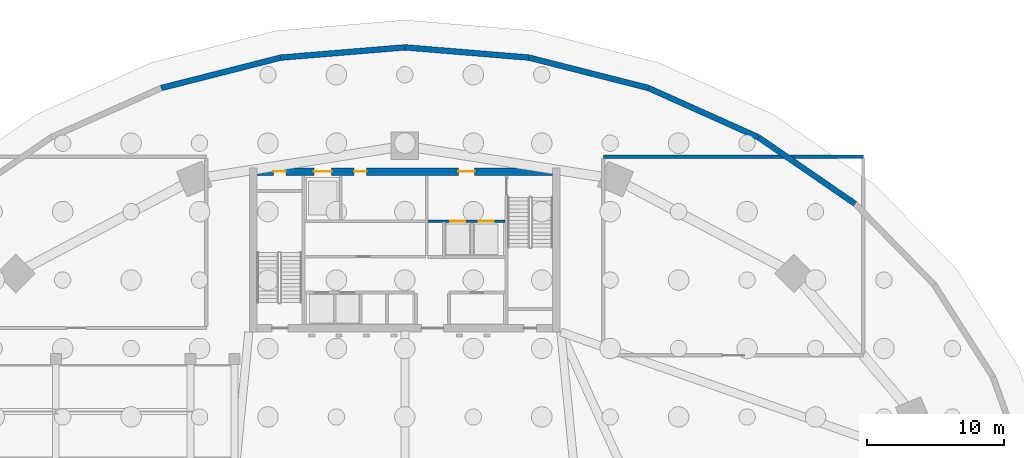
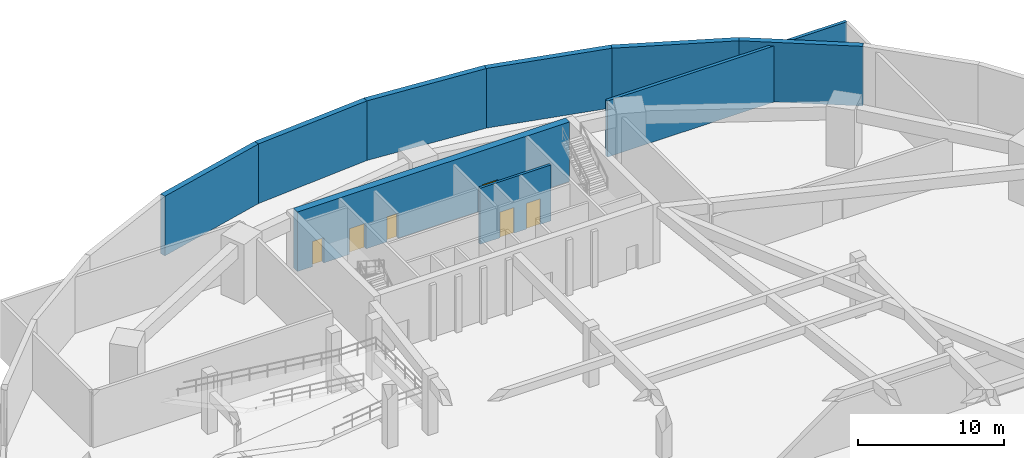
# One storey, part 7 of 11: 9 walls, 6 doors, 6 openings.
"""IFC4 building model written with IfcOpenShell, lengths in metres."""

from ifc_helpers import new_model, si_unit, direction, frame, frame_2d, origin, place, context, subcontext, project, spatial, rectangle, extrude, source, transform, mapped, material, layer, layer_set, type_object, type_shapes, element, fill, save


model = new_model("IFC4")

# Units and contexts
model_context = context("Model", 3, precision=1e-05, world=origin(), true_north=direction((0.0, 1.0)))
body_context = subcontext(model_context, "Body", "Model", "MODEL_VIEW")
ifc_project = project(units=[si_unit("LENGTHUNIT", "METRE"), si_unit("AREAUNIT", "SQUARE_METRE"), si_unit("VOLUMEUNIT", "CUBIC_METRE"), si_unit("PLANEANGLEUNIT", "RADIAN"), si_unit("MASSUNIT", "GRAM", prefix="KILO")], contexts=[model_context])

# Site, building, storey
site_placement = place(None, origin())
site = spatial("IfcSite", under=ifc_project, at=site_placement, CompositionType="ELEMENT")
building_placement = place(site_placement, origin())
building = spatial("IfcBuilding", under=site, at=building_placement, Name="Breltana Convention Tower", CompositionType="ELEMENT")
storey_placement = place(building_placement, frame((0.0, 0.0, -10.0)))
storey = spatial("IfcBuildingStorey", under=building, at=storey_placement, Name="B02", CompositionType="ELEMENT", Elevation=-10.0)

# Walls
ifc_material_1 = material(Name="Concrete C40/50", Category="concrete")
ifc_layer_1 = layer(ifc_material_1, 0.419921875, Name="Concrete C40/50")
ifc_layer_set_1 = layer_set([ifc_layer_1], Name="Concrete C40/50")
wall_type_1 = type_object("IfcWallType", Name="SW-BASE-420", PredefinedType="USERDEFINED", material=ifc_layer_set_1)
shared_shape_1 = source(origin(), body_context, "Body", "SweptSolid", [
    extrude(rectangle(XDim=8.554443359375, YDim=0.419921875, at=frame_2d((4.27734375, 0.0))), origin(), (0.0, 0.0, 1.0), 5.0),
])
wall_1_placement = place(storey_placement, frame((80.880615234375, 69.5771484375, 0.0), z_axis=(0.0, 0.0, 1.0), x_axis=(-0.823739529001, 0.566968419192, 0.0)))
element("IfcWall", 1, at=wall_1_placement, inside=storey, type_object=wall_type_1, Name="B02 Perimeter Retaining Wall 05", ObjectType="RETAININGWALL", PredefinedType="USERDEFINED", context=body_context, shape_type="MappedRepresentation", body=[
    mapped(shared_shape_1, transform((0.0, 0.0, 0.0), scale=1.0)),
])
shared_shape_2 = source(origin(), body_context, "Body", "SweptSolid", [
    extrude(rectangle(XDim=8.81005859375, YDim=0.419921875, at=frame_2d((4.405029296875, 0.0))), origin(), (0.0, 0.0, 1.0), 5.0),
])
wall_2_placement = place(storey_placement, frame((73.833984375, 74.42724609375, 0.0), z_axis=(0.0, 0.0, 1.0), x_axis=(-0.912497196731, 0.409082957305, 0.0)))
element("IfcWall", 2, at=wall_2_placement, inside=storey, type_object=wall_type_1, Name="B02 Perimeter Retaining Wall 06", ObjectType="RETAININGWALL", PredefinedType="USERDEFINED", context=body_context, shape_type="MappedRepresentation", body=[
    mapped(shared_shape_2, transform((0.0, 0.0, 0.0), scale=1.0)),
])
shared_shape_3 = source(origin(), body_context, "Body", "SweptSolid", [
    extrude(rectangle(XDim=9.0009765625, YDim=0.419921875, at=frame_2d((4.50048828125, 0.0))), origin(), (0.0, 0.0, 1.0), 5.0),
])
for number, where, z_axis, x_axis, name in (
    (3, (65.794921875, 78.03125, 0.0), (0.0, 0.0, 1.0), (-0.969128996808, 0.246554228407, 0.0), "B02 Perimeter Retaining Wall 07"),
    (4, (38.92822265625, 80.25048828125, 0.0), (0.0, 0.0, 1.0), (-0.969128996808, -0.246554228407, 0.0), "B02 Perimeter Retaining Wall 10"),
):
    element("IfcWall", number, at=place(storey_placement, frame(where, z_axis=z_axis, x_axis=x_axis)), inside=storey, type_object=wall_type_1, Name=name, ObjectType="RETAININGWALL", PredefinedType="USERDEFINED", context=body_context, shape_type="MappedRepresentation", body=[
        mapped(shared_shape_3, transform((0.0, 0.0, 0.0), scale=1.0)),
    ])
shared_shape_4 = source(origin(), body_context, "Body", "SweptSolid", [
    extrude(rectangle(XDim=9.102783203125, YDim=0.419921875, at=frame_2d((4.55126953125, 0.0))), origin(), (0.0, 0.0, 1.0), 5.0),
])
for number, where, z_axis, x_axis, name in (
    (5, (57.07177734375, 80.25048828125, 0.0), (0.0, 0.0, 1.0), (-0.996604328886, 0.08233961165, 0.0), "B02 Perimeter Retaining Wall 08"),
    (6, (48.0, 81.0, 0.0), (0.0, 0.0, 1.0), (-0.996604328886, -0.08233961165, 0.0), "B02 Perimeter Retaining Wall 09"),
):
    element("IfcWall", number, at=place(storey_placement, frame(where, z_axis=z_axis, x_axis=x_axis)), inside=storey, type_object=wall_type_1, Name=name, ObjectType="RETAININGWALL", PredefinedType="USERDEFINED", context=body_context, shape_type="MappedRepresentation", body=[
        mapped(shared_shape_4, transform((0.0, 0.0, 0.0), scale=1.0)),
    ])

# Wall, openings, doors
ifc_material_2 = material(Name="Concrete C60/75", Category="concrete")
ifc_layer_2 = layer(ifc_material_2, 0.550048828125, Name="Concrete C60/75")
ifc_layer_set_2 = layer_set([ifc_layer_2], Name="Concrete C60/75")
wall_type_2 = type_object("IfcWallType", Name="SW-CORE-550", PredefinedType="SHEAR", material=ifc_layer_set_2)
shared_shape_5 = source(origin(), body_context, "Body", "SweptSolid", [
    extrude(rectangle(XDim=21.60009765625, YDim=0.550048828125, at=frame_2d((10.800048828125, 0.0))), origin(), (0.0, 0.0, 1.0), 5.0),
])
wall_3_placement = place(storey_placement, frame((37.199951171875, 71.925048828125, 0.0), z_axis=(0.0, 0.0, 1.0), x_axis=(1.0, 0.0, 0.0)))
wall_3 = element("IfcWall", 7, at=wall_3_placement, inside=storey, type_object=wall_type_2, Name="B02 North Core Shear Wall", PredefinedType="SHEAR", context=body_context, shape_type="MappedRepresentation", body=[
    mapped(shared_shape_5, transform((0.0, 0.0, 0.0), scale=1.0)),
])
opening_1_placement = place(wall_3_placement, frame((1.199951171875, 0.0, 0.0)))
opening_1 = element("IfcOpeningElement", 8, at=opening_1_placement, cuts=wall_3, Name="Opening D-18", PredefinedType="OPENING", context=body_context, shape_type="SweptSolid", body=[
    extrude(rectangle(XDim=0.89990234375, YDim=2.10009765625, at=frame_2d((0.449951171875, 1.050048828125))), frame((0.0, 0.28515625, 0.0), z_axis=(0.0, -1.0, 0.0), x_axis=(1.0, 0.0, 0.0)), (0.0, 0.0, 1.0), 0.570068359375),
])
opening_2_placement = place(wall_3_placement, frame((14.699951171875, 0.0, 0.0)))
opening_2 = element("IfcOpeningElement", 9, at=opening_2_placement, cuts=wall_3, Name="Opening D-09", PredefinedType="OPENING", context=body_context, shape_type="SweptSolid", body=[
    extrude(rectangle(XDim=1.199951171875, YDim=2.14990234375, at=frame_2d((0.60009765625, 1.074951171875))), frame((0.0, 0.28515625, 0.0), z_axis=(0.0, -1.0, 0.0), x_axis=(1.0, 0.0, 0.0)), (0.0, 0.0, 1.0), 0.570068359375),
])
opening_3_placement = place(wall_3_placement, frame((4.14990234375, 0.0, 0.0)))
opening_3 = element("IfcOpeningElement", 10, at=opening_3_placement, cuts=wall_3, Name="Opening LD-01", PredefinedType="OPENING", context=body_context, shape_type="SweptSolid", body=[
    extrude(rectangle(XDim=1.300048828125, YDim=2.14990234375, at=frame_2d((0.64990234375, 1.074951171875))), frame((0.0, 0.28515625, 0.0), z_axis=(0.0, -1.0, 0.0), x_axis=(1.0, 0.0, 0.0)), (0.0, 0.0, 1.0), 0.570068359375),
])
opening_4_placement = place(wall_3_placement, frame((7.10009765625, 0.0, 0.0)))
opening_4 = element("IfcOpeningElement", 11, at=opening_4_placement, cuts=wall_3, Name="Opening D-18", PredefinedType="OPENING", context=body_context, shape_type="SweptSolid", body=[
    extrude(rectangle(XDim=0.89990234375, YDim=2.10009765625, at=frame_2d((0.449951171875, 1.050048828125))), frame((0.0, 0.28515625, 0.0), z_axis=(0.0, -1.0, 0.0), x_axis=(1.0, 0.0, 0.0)), (0.0, 0.0, 1.0), 0.570068359375),
])
ifc_material_3 = material(Name="Steel Riser Fire Door", Category="steel")
door_type_1 = type_object("IfcDoorType", Name="DR-FD60-900", OperationType="NOTDEFINED", PredefinedType="DOOR", material=ifc_material_3)
shared_shape_6 = source(origin(), body_context, "Body", "SweptSolid", [
    extrude(rectangle(XDim=0.89990234375, YDim=2.10009765625, at=frame_2d((0.449951171875, 1.050048828125))), frame((0.0, 0.02490234375, 0.0), z_axis=(0.0, -1.0, 0.0), x_axis=(1.0, 0.0, 0.0)), (0.0, 0.0, 1.0), 0.050048828125),
])
type_shapes(door_type_1, [shared_shape_6])
door_1_placement = place(opening_1_placement, origin())
door_1 = element("IfcDoor", 12, at=door_1_placement, inside=storey, type_object=door_type_1, Name="B02 Core Riser Access Door D-B02-RS1", OperationType="SINGLE_SWING_LEFT", OverallHeight=2.10009765625, OverallWidth=0.89990234375, PredefinedType="DOOR", context=body_context, shape_type="MappedRepresentation", body=[
    mapped(shared_shape_6, transform((0.0, 0.0, 0.0), scale=1.0)),
])
fill(opening_1, door_1)
door_2_placement = place(opening_4_placement, origin())
door_2 = element("IfcDoor", 13, at=door_2_placement, inside=storey, type_object=door_type_1, Name="B02 interior door D-B02-CRA1", OperationType="SINGLE_SWING_RIGHT", OverallHeight=2.10009765625, OverallWidth=0.89990234375, PredefinedType="DOOR", context=body_context, shape_type="MappedRepresentation", body=[
    mapped(shared_shape_6, transform((0.0, 0.0, 0.0), scale=1.0)),
])
fill(opening_4, door_2)
ifc_material_4 = material(Name="Steel Fire Lobby Door", Category="steel")
door_type_2 = type_object("IfcDoorType", Name="DR-FD120-1200", OperationType="NOTDEFINED", PredefinedType="DOOR", material=ifc_material_4)
shared_shape_7 = source(origin(), body_context, "Body", "SweptSolid", [
    extrude(rectangle(XDim=1.199951171875, YDim=2.14990234375, at=frame_2d((0.60009765625, 1.074951171875))), frame((0.0, 0.02490234375, 0.0), z_axis=(0.0, -1.0, 0.0), x_axis=(1.0, 0.0, 0.0)), (0.0, 0.0, 1.0), 0.050048828125),
])
type_shapes(door_type_2, [shared_shape_7])
door_3_placement = place(opening_2_placement, origin())
door_3 = element("IfcDoor", 14, at=door_3_placement, inside=storey, type_object=door_type_2, Name="B02 interior door D-B02-FFL-N", OperationType="SINGLE_SWING_RIGHT", OverallHeight=2.14990234375, OverallWidth=1.199951171875, PredefinedType="DOOR", context=body_context, shape_type="MappedRepresentation", body=[
    mapped(shared_shape_7, transform((0.0, 0.0, 0.0), scale=1.0)),
])
fill(opening_2, door_3)
ifc_material_5 = material(Name="Stainless Steel Brushed", Category="steel")
door_type_3 = type_object("IfcDoorType", Name="DR-LD-SRV-1300", OperationType="DOUBLE_DOOR_SLIDING", PredefinedType="DOOR", material=ifc_material_5)
shared_shape_8 = source(origin(), body_context, "Body", "SweptSolid", [
    extrude(rectangle(XDim=1.300048828125, YDim=2.14990234375, at=frame_2d((0.64990234375, 1.074951171875))), frame((0.0, 0.02490234375, 0.0), z_axis=(0.0, -1.0, 0.0), x_axis=(1.0, 0.0, 0.0)), (0.0, 0.0, 1.0), 0.050048828125),
])
type_shapes(door_type_3, [shared_shape_8])
door_4_placement = place(opening_3_placement, origin())
door_4 = element("IfcDoor", 15, at=door_4_placement, inside=storey, type_object=door_type_3, Name="B02 Lift Landing Door D-B02-LD-SV1", OperationType="DOUBLE_DOOR_SLIDING", OverallHeight=2.14990234375, OverallWidth=1.300048828125, PredefinedType="DOOR", context=body_context, shape_type="MappedRepresentation", body=[
    mapped(shared_shape_8, transform((0.0, 0.0, 0.0), scale=1.0)),
])
fill(opening_3, door_4)

ifc_material_6 = material(Name="Autoclaved Aerated Concrete Block", Category="concrete")
ifc_layer_3 = layer(ifc_material_6, 0.199951171875, Name="Autoclaved Aerated Concrete Block")
ifc_layer_set_3 = layer_set([ifc_layer_3], Name="Autoclaved Aerated Concrete Block")
wall_type_3 = type_object("IfcWallType", Name="WL-SHAFT-200", PredefinedType="SOLIDWALL", material=ifc_layer_set_3)
shared_shape_9 = source(origin(), body_context, "Body", "SweptSolid", [
    extrude(rectangle(XDim=5.6201171875, YDim=0.199951171875, at=frame_2d((2.81005859375, 0.0))), origin(), (0.0, 0.0, 1.0), 4.699951171875),
])
wall_4_placement = place(storey_placement, frame((49.699951171875, 68.300048828125, 0.0), z_axis=(0.0, 0.0, 1.0), x_axis=(1.0, 0.0, 0.0)))
wall_4 = element("IfcWall", 16, at=wall_4_placement, inside=storey, type_object=wall_type_3, Name="B02 interior partition W-B02-FFL-S", PredefinedType="SOLIDWALL", context=body_context, shape_type="MappedRepresentation", body=[
    mapped(shared_shape_9, transform((0.0, 0.0, 0.0), scale=1.0)),
])
opening_5_placement = place(wall_4_placement, frame((1.60009765625, 0.0, 0.0)))
opening_5 = element("IfcOpeningElement", 17, at=opening_5_placement, cuts=wall_4, Name="Opening LD-03", PredefinedType="OPENING", context=body_context, shape_type="SweptSolid", body=[
    extrude(rectangle(XDim=1.10009765625, YDim=2.14990234375, at=frame_2d((0.550048828125, 1.074951171875))), frame((0.0, 0.10986328125, 0.0), z_axis=(0.0, -1.0, 0.0), x_axis=(1.0, 0.0, 0.0)), (0.0, 0.0, 1.0), 0.219970703125),
])
opening_6_placement = place(wall_4_placement, frame((3.699951171875, 0.0, 0.0)))
opening_6 = element("IfcOpeningElement", 18, at=opening_6_placement, cuts=wall_4, Name="Opening LD-03", PredefinedType="OPENING", context=body_context, shape_type="SweptSolid", body=[
    extrude(rectangle(XDim=1.10009765625, YDim=2.14990234375, at=frame_2d((0.550048828125, 1.074951171875))), frame((0.0, 0.10986328125, 0.0), z_axis=(0.0, -1.0, 0.0), x_axis=(1.0, 0.0, 0.0)), (0.0, 0.0, 1.0), 0.219970703125),
])
door_type_4 = type_object("IfcDoorType", Name="DR-LD-FF-1100", OperationType="DOUBLE_DOOR_SLIDING", PredefinedType="DOOR", material=ifc_material_5)
shared_shape_10 = source(origin(), body_context, "Body", "SweptSolid", [
    extrude(rectangle(XDim=1.10009765625, YDim=2.14990234375, at=frame_2d((0.550048828125, 1.074951171875))), frame((0.0, 0.02490234375, 0.0), z_axis=(0.0, -1.0, 0.0), x_axis=(1.0, 0.0, 0.0)), (0.0, 0.0, 1.0), 0.050048828125),
])
type_shapes(door_type_4, [shared_shape_10])
door_5_placement = place(opening_5_placement, origin())
door_5 = element("IfcDoor", 19, at=door_5_placement, inside=storey, type_object=door_type_4, Name="B02 Lift Landing Door D-B02-LD-FL1", OperationType="DOUBLE_DOOR_SLIDING", OverallHeight=2.14990234375, OverallWidth=1.10009765625, PredefinedType="DOOR", context=body_context, shape_type="MappedRepresentation", body=[
    mapped(shared_shape_10, transform((0.0, 0.0, 0.0), scale=1.0)),
])
fill(opening_5, door_5)
door_6_placement = place(opening_6_placement, origin())
door_6 = element("IfcDoor", 20, at=door_6_placement, inside=storey, type_object=door_type_4, Name="B02 Lift Landing Door D-B02-LD-FL2", OperationType="DOUBLE_DOOR_SLIDING", OverallHeight=2.14990234375, OverallWidth=1.10009765625, PredefinedType="DOOR", context=body_context, shape_type="MappedRepresentation", body=[
    mapped(shared_shape_10, transform((0.0, 0.0, 0.0), scale=1.0)),
])
fill(opening_6, door_6)

# Wall
ifc_material_7 = material(Name="Gypsum Acoustic Double Stud Wall")
ifc_layer_4 = layer(ifc_material_7, 0.25, Name="Gypsum Acoustic Double Stud Wall")
ifc_layer_set_4 = layer_set([ifc_layer_4], Name="Gypsum Acoustic Double Stud Wall")
wall_type_4 = type_object("IfcWallType", Name="WL-ACOUSTIC-250", PredefinedType="PARTITIONING", material=ifc_layer_set_4)
shared_shape_11 = source(origin(), body_context, "Body", "SweptSolid", [
    extrude(rectangle(XDim=19.0, YDim=0.25, at=frame_2d((9.5, 0.0))), origin(), (0.0, 0.0, 1.0), 4.699951171875),
])
wall_5_placement = place(storey_placement, frame((62.5, 73.0, 0.0), z_axis=(0.0, 0.0, 1.0), x_axis=(1.0, 0.0, 0.0)))
element("IfcWall", 21, at=wall_5_placement, inside=storey, type_object=wall_type_4, Name="B02 interior partition W-B02-PLT1-N", PredefinedType="PARTITIONING", context=body_context, shape_type="MappedRepresentation", body=[
    mapped(shared_shape_11, transform((0.0, 0.0, 0.0), scale=1.0)),
])

save(model, "model.ifc")
